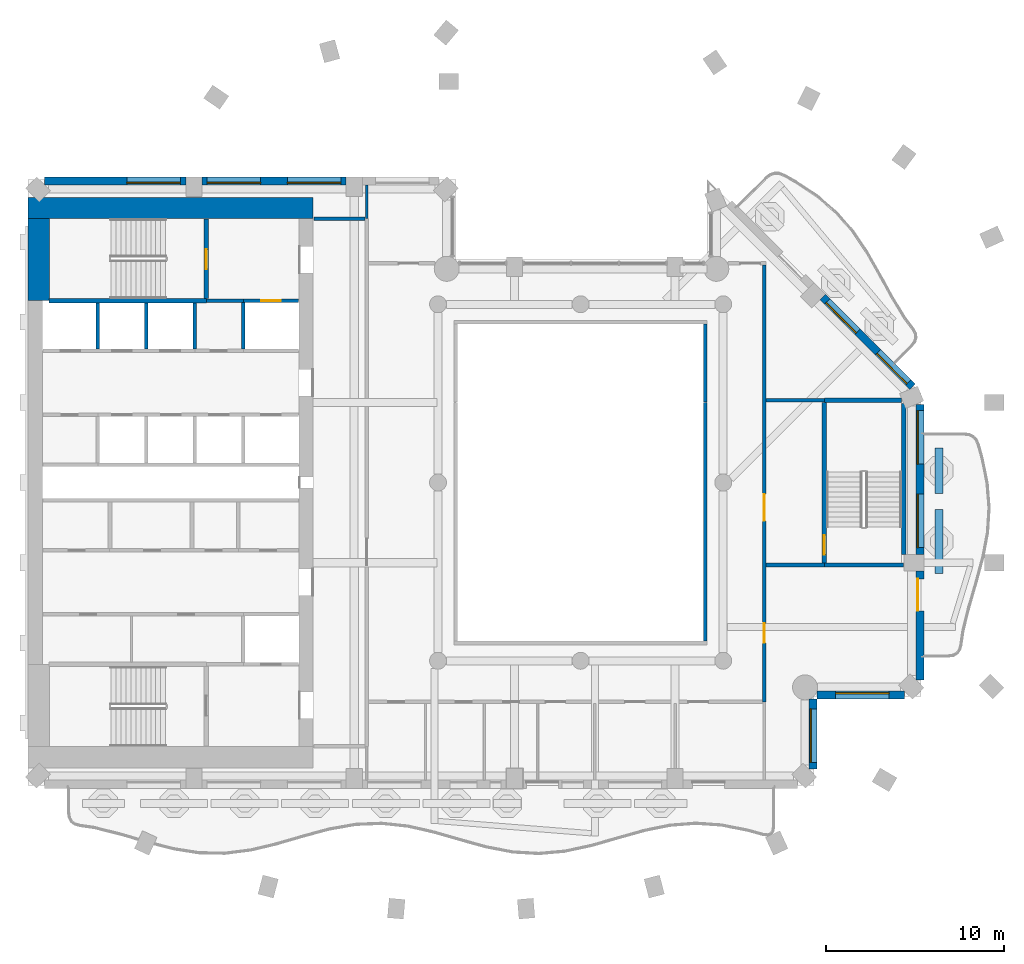
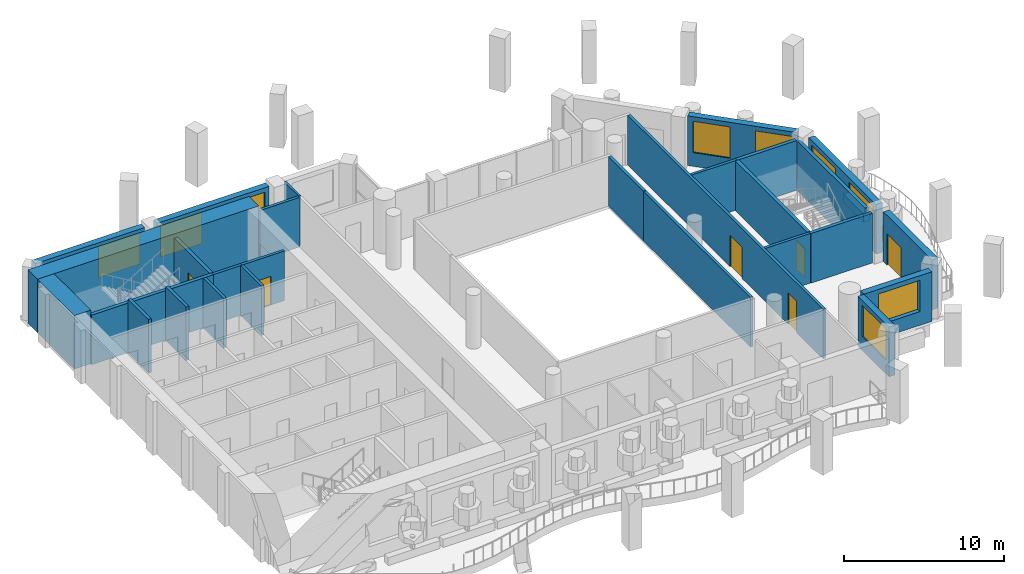
# One storey, part 6 of 15: 30 walls, 9 windows, 6 doors, 15 openings.
"""IFC4 building model written with IfcOpenShell, lengths in metres."""

from ifc_helpers import new_model, si_unit, direction, frame, frame_2d, origin, place, context, subcontext, project, spatial, rectangle, extrude, material, layer, layer_set, type_object, element, fill, save


model = new_model("IFC4")

# Units and contexts
model_context = context("Model", 3, precision=1e-05, world=origin(), true_north=direction((0.0, 1.0)))
body_context = subcontext(model_context, "Body", "Model", "MODEL_VIEW")
ifc_project = project(units=[si_unit("LENGTHUNIT", "METRE"), si_unit("AREAUNIT", "SQUARE_METRE"), si_unit("VOLUMEUNIT", "CUBIC_METRE"), si_unit("PLANEANGLEUNIT", "RADIAN"), si_unit("MASSUNIT", "GRAM", prefix="KILO")], contexts=[model_context])

# Site, building, storey
site_placement = place(None, origin())
site = spatial("IfcSite", under=ifc_project, at=site_placement, CompositionType="ELEMENT")
building_placement = place(site_placement, origin())
building = spatial("IfcBuilding", under=site, at=building_placement, Name="Cypress Arch Tower", CompositionType="ELEMENT")
storey_placement = place(building_placement, frame((0.0, 0.0, 234.300048828125)))
storey = spatial("IfcBuildingStorey", under=building, at=storey_placement, Name="L52", CompositionType="ELEMENT", Elevation=234.300048828125)

# Walls
ifc_material_1 = material(Name="Concrete C40/50, waterproofed", Category="concrete")
ifc_layer_1 = layer(ifc_material_1, 0.449951171875)
ifc_layer_set_1 = layer_set([ifc_layer_1], Name="Balcony planter wall PW450")
wall_type_1 = type_object("IfcWallType", Name="Balcony planter wall PW450", PredefinedType="SOLIDWALL", material=ifc_layer_set_1)
wall_1_placement = place(storey_placement, frame((21.10009765625, -5.10009765625, 0.0), z_axis=(0.0, 0.0, 1.0), x_axis=(0.0, 1.0, 0.0)))
element("IfcWall", 1, at=wall_1_placement, inside=storey, type_object=wall_type_1, Name="Balcony planter wall L52-B04.1", PredefinedType="SOLIDWALL", context=body_context, shape_type="SweptSolid", body=[
    extrude(rectangle(XDim=3.58349609375, YDim=0.449951171875, at=frame_2d((1.791748046875, 0.0))), origin(), (0.0, 0.0, 1.0), 0.599853515625),
])
wall_2_placement = place(storey_placement, frame((21.10009765625, -0.61669921875, 0.0), z_axis=(0.0, 0.0, 1.0), x_axis=(0.0, 1.0, 0.0)))
element("IfcWall", 2, at=wall_2_placement, inside=storey, type_object=wall_type_1, Name="Balcony planter wall L52-B04.2", PredefinedType="SOLIDWALL", context=body_context, shape_type="SweptSolid", body=[
    extrude(rectangle(XDim=2.566650390625, YDim=0.449951171875, at=frame_2d((1.283203125, 0.0))), origin(), (0.0, 0.0, 1.0), 0.599853515625),
])

# Wall, opening, window
ifc_material_2 = material(Name="Brick (red buff blend)", Category="masonry")
ifc_layer_2 = layer(ifc_material_2, 0.449951171875)
ifc_layer_set_2 = layer_set([ifc_layer_2], Name="Brick pier and spandrel wall BW450")
wall_type_2 = type_object("IfcWallType", Name="Brick pier and spandrel wall BW450", PredefinedType="SOLIDWALL", material=ifc_layer_set_2)
wall_3_placement = place(storey_placement, frame((14.02490234375, -16.063720703125, 0.0), z_axis=(0.0, 0.0, 1.0), x_axis=(0.0, 1.0, 0.0)))
wall_3 = element("IfcWall", 3, at=wall_3_placement, inside=storey, type_object=wall_type_2, Name="Brick wall L52 B02.0", PredefinedType="SOLIDWALL", context=body_context, shape_type="SweptSolid", body=[
    extrude(rectangle(XDim=3.9091796875, YDim=0.449951171875, at=frame_2d((1.95458984375, 0.0))), origin(), (0.0, 0.0, 1.0), 3.800048828125),
])
opening_1_placement = place(wall_3_placement, frame((0.363525390625, 0.0, 1.050048828125)))
opening_1 = element("IfcOpeningElement", 4, at=opening_1_placement, cuts=wall_3, Name="Opening W300O", PredefinedType="OPENING", context=body_context, shape_type="SweptSolid", body=[
    extrude(rectangle(XDim=3.0, YDim=2.39990234375, at=frame_2d((1.5, 1.199951171875))), frame((0.0, 0.23486328125, 0.0), z_axis=(0.0, -1.0, 0.0), x_axis=(1.0, 0.0, 0.0)), (0.0, 0.0, 1.0), 0.469970703125),
])
ifc_material_3 = material(Name="Anodised aluminium, bronze finish, clear low-emissivity double glazing", Category="aluminium")
window_type_1 = type_object("IfcWindowType", Name="Window Office 3000x2400", PartitioningType="SINGLE_PANEL", PredefinedType="WINDOW", material=ifc_material_3)
window_1_placement = place(opening_1_placement, origin())
window_1 = element("IfcWindow", 5, at=window_1_placement, inside=storey, type_object=window_type_1, Name="Window L52 B02.0.1", OverallHeight=2.39990234375, OverallWidth=3.0, PartitioningType="SINGLE_PANEL", PredefinedType="WINDOW", context=body_context, shape_type="SweptSolid", body=[
    extrude(rectangle(XDim=3.0, YDim=2.39990234375, at=frame_2d((1.5, 1.199951171875))), frame((0.0, 0.135009765625, 0.0), z_axis=(0.0, -1.0, 0.0), x_axis=(1.0, 0.0, 0.0)), (0.0, 0.0, 1.0), 0.06005859375),
])
fill(opening_1, window_1)

wall_4_placement = place(storey_placement, frame((14.254638671875, -11.925048828125, 0.0), z_axis=(0.0, 0.0, 1.0), x_axis=(1.0, 0.0, 0.0)))
wall_4 = element("IfcWall", 6, at=wall_4_placement, inside=storey, type_object=wall_type_2, Name="Brick wall L52 B03.0", PredefinedType="SOLIDWALL", context=body_context, shape_type="SweptSolid", body=[
    extrude(rectangle(XDim=4.908935546875, YDim=0.449951171875, at=frame_2d((2.45458984375, 0.0))), origin(), (0.0, 0.0, 1.0), 3.800048828125),
])
opening_2_placement = place(wall_4_placement, frame((1.04541015625, 0.0, 1.050048828125)))
opening_2 = element("IfcOpeningElement", 7, at=opening_2_placement, cuts=wall_4, Name="Opening W300O", PredefinedType="OPENING", context=body_context, shape_type="SweptSolid", body=[
    extrude(rectangle(XDim=3.0, YDim=2.39990234375, at=frame_2d((1.5, 1.199951171875))), frame((0.0, 0.23486328125, 0.0), z_axis=(0.0, -1.0, 0.0), x_axis=(1.0, 0.0, 0.0)), (0.0, 0.0, 1.0), 0.469970703125),
])
window_2_placement = place(opening_2_placement, origin())
window_2 = element("IfcWindow", 8, at=window_2_placement, inside=storey, type_object=window_type_1, Name="Window L52 B03.0.1", OverallHeight=2.39990234375, OverallWidth=3.0, PartitioningType="SINGLE_PANEL", PredefinedType="WINDOW", context=body_context, shape_type="SweptSolid", body=[
    extrude(rectangle(XDim=3.0, YDim=2.39990234375, at=frame_2d((1.5, 1.199951171875))), frame((0.0, 0.135009765625, 0.0), z_axis=(0.0, -1.0, 0.0), x_axis=(1.0, 0.0, 0.0)), (0.0, 0.0, 1.0), 0.06005859375),
])
fill(opening_2, window_2)

# Wall, opening, door
wall_5_placement = place(storey_placement, frame((20.02490234375, -11.063720703125, 0.0), z_axis=(0.0, 0.0, 1.0), x_axis=(0.0, 1.0, 0.0)))
wall_5 = element("IfcWall", 9, at=wall_5_placement, inside=storey, type_object=wall_type_2, Name="Brick wall L52 B04.0", PredefinedType="SOLIDWALL", context=body_context, shape_type="SweptSolid", body=[
    extrude(rectangle(XDim=6.11376953125, YDim=0.449951171875, at=frame_2d((3.056884765625, 0.0))), origin(), (0.0, 0.0, 1.0), 3.800048828125),
])
opening_3_placement = place(wall_5_placement, frame((3.863525390625, 0.0, 0.0)))
opening_3 = element("IfcOpeningElement", 10, at=opening_3_placement, cuts=wall_5, Name="Opening D-L52-B04.0.2", PredefinedType="OPENING", context=body_context, shape_type="SweptSolid", body=[
    extrude(rectangle(XDim=1.800048828125, YDim=2.39990234375, at=frame_2d((0.89990234375, 1.199951171875))), frame((0.0, 0.23486328125, 0.0), z_axis=(0.0, -1.0, 0.0), x_axis=(1.0, 0.0, 0.0)), (0.0, 0.0, 1.0), 0.469970703125),
])
ifc_material_4 = material(Name="Anodised aluminium, bronze finish, laminated low-emissivity double glazing, large-missile impact rated", Category="aluminium")
door_type_1 = type_object("IfcDoorType", Name="Balcony sliding door 1800x2400", OperationType="SLIDING_TO_LEFT", PredefinedType="DOOR", material=ifc_material_4)
door_1_placement = place(opening_3_placement, origin())
door_1 = element("IfcDoor", 11, at=door_1_placement, inside=storey, type_object=door_type_1, Name="Balcony door L52 B04.0.2", OperationType="SLIDING_TO_LEFT", OverallHeight=2.39990234375, OverallWidth=1.800048828125, PredefinedType="DOOR", context=body_context, shape_type="SweptSolid", body=[
    extrude(rectangle(XDim=1.800048828125, YDim=2.39990234375, at=frame_2d((0.89990234375, 1.199951171875))), frame((0.0, 0.1298828125, 0.0), z_axis=(0.0, -1.0, 0.0), x_axis=(1.0, 0.0, 0.0)), (0.0, 0.0, 1.0), 0.050048828125),
])
fill(opening_3, door_1)

# Wall, openings, windows
wall_6_placement = place(storey_placement, frame((20.02490234375, -4.050048828125, 0.0), z_axis=(0.0, 0.0, 1.0), x_axis=(0.0, 1.0, 0.0)))
wall_6 = element("IfcWall", 12, at=wall_6_placement, inside=storey, type_object=wall_type_2, Name="Brick wall L52 B04.1", PredefinedType="SOLIDWALL", context=body_context, shape_type="SweptSolid", body=[
    extrude(rectangle(XDim=8.438720703125, YDim=0.449951171875, at=frame_2d((4.21923828125, 0.0))), origin(), (0.0, 0.0, 1.0), 3.800048828125),
])
opening_4_placement = place(wall_6_placement, frame((0.39404296875, 0.0, 1.050048828125)))
opening_4 = element("IfcOpeningElement", 13, at=opening_4_placement, cuts=wall_6, Name="Opening W300OD", PredefinedType="OPENING", context=body_context, shape_type="SweptSolid", body=[
    extrude(rectangle(XDim=3.0, YDim=2.39990234375, at=frame_2d((1.5, 1.199951171875))), frame((0.0, 0.23486328125, 0.0), z_axis=(0.0, -1.0, 0.0), x_axis=(1.0, 0.0, 0.0)), (0.0, 0.0, 1.0), 0.469970703125),
])
opening_5_placement = place(wall_6_placement, frame((5.081787109375, 0.0, 1.050048828125)))
opening_5 = element("IfcOpeningElement", 14, at=opening_5_placement, cuts=wall_6, Name="Opening W300OD", PredefinedType="OPENING", context=body_context, shape_type="SweptSolid", body=[
    extrude(rectangle(XDim=3.0, YDim=2.39990234375, at=frame_2d((1.5, 1.199951171875))), frame((0.0, 0.23486328125, 0.0), z_axis=(0.0, -1.0, 0.0), x_axis=(1.0, 0.0, 0.0)), (0.0, 0.0, 1.0), 0.469970703125),
])
ifc_material_5 = material(Name="Anodised aluminium, bronze finish, laminated low-emissivity double glazing, large-missile impact rated", Category="aluminium")
window_type_2 = type_object("IfcWindowType", Name="Window Office 3000x2400 debris-rated", PartitioningType="SINGLE_PANEL", PredefinedType="WINDOW", material=ifc_material_5)
window_3_placement = place(opening_4_placement, origin())
window_3 = element("IfcWindow", 15, at=window_3_placement, inside=storey, type_object=window_type_2, Name="Window L52 B04.1.1", OverallHeight=2.39990234375, OverallWidth=3.0, PartitioningType="SINGLE_PANEL", PredefinedType="WINDOW", context=body_context, shape_type="SweptSolid", body=[
    extrude(rectangle(XDim=3.0, YDim=2.39990234375, at=frame_2d((1.5, 1.199951171875))), frame((0.0, 0.135009765625, 0.0), z_axis=(0.0, -1.0, 0.0), x_axis=(1.0, 0.0, 0.0)), (0.0, 0.0, 1.0), 0.06005859375),
])
fill(opening_4, window_3)
window_4_placement = place(opening_5_placement, origin())
window_4 = element("IfcWindow", 16, at=window_4_placement, inside=storey, type_object=window_type_2, Name="Window L52 B04.1.2", OverallHeight=2.39990234375, OverallWidth=3.0, PartitioningType="SINGLE_PANEL", PredefinedType="WINDOW", context=body_context, shape_type="SweptSolid", body=[
    extrude(rectangle(XDim=3.0, YDim=2.39990234375, at=frame_2d((1.5, 1.199951171875))), frame((0.0, 0.135009765625, 0.0), z_axis=(0.0, -1.0, 0.0), x_axis=(1.0, 0.0, 0.0)), (0.0, 0.0, 1.0), 0.06005859375),
])
fill(opening_5, window_4)

wall_7_placement = place(storey_placement, frame((19.61474609375, 5.379150390625, 0.0), z_axis=(0.0, 0.0, 1.0), x_axis=(-0.707089646058, 0.7071239159, 0.0)))
wall_7 = element("IfcWall", 17, at=wall_7_placement, inside=storey, type_object=wall_type_2, Name="Brick wall L52 B05.0", PredefinedType="SOLIDWALL", context=body_context, shape_type="SweptSolid", body=[
    extrude(rectangle(XDim=7.1240234375, YDim=0.449951171875, at=frame_2d((3.56201171875, 0.0))), origin(), (0.0, 0.0, 1.0), 3.800048828125),
])
opening_6_placement = place(wall_7_placement, frame((0.328125, 0.0, 1.050048828125)))
opening_6 = element("IfcOpeningElement", 18, at=opening_6_placement, cuts=wall_7, Name="Opening W240OD", PredefinedType="OPENING", context=body_context, shape_type="SweptSolid", body=[
    extrude(rectangle(XDim=2.39990234375, YDim=2.39990234375, at=frame_2d((1.199951171875, 1.199951171875))), frame((0.0, 0.23486328125, 0.0), z_axis=(0.0, -1.0, 0.0), x_axis=(1.0, 0.0, 0.0)), (0.0, 0.0, 1.0), 0.469970703125),
])
opening_7_placement = place(wall_7_placement, frame((4.358642578125, 0.0, 1.050048828125)))
opening_7 = element("IfcOpeningElement", 19, at=opening_7_placement, cuts=wall_7, Name="Opening W240OD", PredefinedType="OPENING", context=body_context, shape_type="SweptSolid", body=[
    extrude(rectangle(XDim=2.39990234375, YDim=2.39990234375, at=frame_2d((1.199951171875, 1.199951171875))), frame((0.0, 0.23486328125, 0.0), z_axis=(0.0, -1.0, 0.0), x_axis=(1.0, 0.0, 0.0)), (0.0, 0.0, 1.0), 0.469970703125),
])
ifc_material_6 = material(Name="Anodised aluminium, bronze finish, laminated low-emissivity double glazing, large-missile impact rated", Category="aluminium")
window_type_3 = type_object("IfcWindowType", Name="Window Office 2400x2400 debris-rated", PartitioningType="SINGLE_PANEL", PredefinedType="WINDOW", material=ifc_material_6)
window_5_placement = place(opening_6_placement, origin())
window_5 = element("IfcWindow", 20, at=window_5_placement, inside=storey, type_object=window_type_3, Name="Window L52 B05.0.1", OverallHeight=2.39990234375, OverallWidth=2.39990234375, PartitioningType="SINGLE_PANEL", PredefinedType="WINDOW", context=body_context, shape_type="SweptSolid", body=[
    extrude(rectangle(XDim=2.39990234375, YDim=2.39990234375, at=frame_2d((1.199951171875, 1.199951171875))), frame((0.0, 0.135009765625, 0.0), z_axis=(0.0, -1.0, 0.0), x_axis=(1.0, 0.0, 0.0)), (0.0, 0.0, 1.0), 0.06005859375),
])
fill(opening_6, window_5)
window_6_placement = place(opening_7_placement, origin())
window_6 = element("IfcWindow", 21, at=window_6_placement, inside=storey, type_object=window_type_3, Name="Window L52 B05.0.2", OverallHeight=2.39990234375, OverallWidth=2.39990234375, PartitioningType="SINGLE_PANEL", PredefinedType="WINDOW", context=body_context, shape_type="SweptSolid", body=[
    extrude(rectangle(XDim=2.39990234375, YDim=2.39990234375, at=frame_2d((1.199951171875, 1.199951171875))), frame((0.0, 0.135009765625, 0.0), z_axis=(0.0, -1.0, 0.0), x_axis=(1.0, 0.0, 0.0)), (0.0, 0.0, 1.0), 0.06005859375),
])
fill(opening_7, window_6)

wall_8_placement = place(storey_placement, frame((-12.14990234375, 16.925048828125, 0.0), z_axis=(0.0, 0.0, 1.0), x_axis=(-1.0, 0.0, 0.0)))
wall_8 = element("IfcWall", 22, at=wall_8_placement, inside=storey, type_object=wall_type_2, Name="Brick wall L52 B09.1", PredefinedType="SOLIDWALL", context=body_context, shape_type="SweptSolid", body=[
    extrude(rectangle(XDim=8.10009765625, YDim=0.449951171875, at=frame_2d((4.050048828125, 0.0))), origin(), (0.0, 0.0, 1.0), 3.800048828125),
])
opening_8_placement = place(wall_8_placement, frame((0.300048828125, 0.0, 1.050048828125)))
opening_8 = element("IfcOpeningElement", 23, at=opening_8_placement, cuts=wall_8, Name="Opening W300O", PredefinedType="OPENING", context=body_context, shape_type="SweptSolid", body=[
    extrude(rectangle(XDim=3.0, YDim=2.39990234375, at=frame_2d((1.5, 1.199951171875))), frame((0.0, 0.23486328125, 0.0), z_axis=(0.0, -1.0, 0.0), x_axis=(1.0, 0.0, 0.0)), (0.0, 0.0, 1.0), 0.469970703125),
])
opening_9_placement = place(wall_8_placement, frame((4.800048828125, 0.0, 1.050048828125)))
opening_9 = element("IfcOpeningElement", 24, at=opening_9_placement, cuts=wall_8, Name="Opening W300O", PredefinedType="OPENING", context=body_context, shape_type="SweptSolid", body=[
    extrude(rectangle(XDim=3.0, YDim=2.39990234375, at=frame_2d((1.5, 1.199951171875))), frame((0.0, 0.23486328125, 0.0), z_axis=(0.0, -1.0, 0.0), x_axis=(1.0, 0.0, 0.0)), (0.0, 0.0, 1.0), 0.469970703125),
])
window_7_placement = place(opening_8_placement, origin())
window_7 = element("IfcWindow", 25, at=window_7_placement, inside=storey, type_object=window_type_1, Name="Window L52 B09.1.1", OverallHeight=2.39990234375, OverallWidth=3.0, PartitioningType="SINGLE_PANEL", PredefinedType="WINDOW", context=body_context, shape_type="SweptSolid", body=[
    extrude(rectangle(XDim=3.0, YDim=2.39990234375, at=frame_2d((1.5, 1.199951171875))), frame((0.0, 0.135009765625, 0.0), z_axis=(0.0, -1.0, 0.0), x_axis=(1.0, 0.0, 0.0)), (0.0, 0.0, 1.0), 0.06005859375),
])
fill(opening_8, window_7)
window_8_placement = place(opening_9_placement, origin())
window_8 = element("IfcWindow", 26, at=window_8_placement, inside=storey, type_object=window_type_1, Name="Window L52 B09.1.2", OverallHeight=2.39990234375, OverallWidth=3.0, PartitioningType="SINGLE_PANEL", PredefinedType="WINDOW", context=body_context, shape_type="SweptSolid", body=[
    extrude(rectangle(XDim=3.0, YDim=2.39990234375, at=frame_2d((1.5, 1.199951171875))), frame((0.0, 0.135009765625, 0.0), z_axis=(0.0, -1.0, 0.0), x_axis=(1.0, 0.0, 0.0)), (0.0, 0.0, 1.0), 0.06005859375),
])
fill(opening_9, window_8)

# Wall, opening, window
wall_9_placement = place(storey_placement, frame((-21.14990234375, 16.925048828125, 0.0), z_axis=(0.0, 0.0, 1.0), x_axis=(-1.0, 0.0, 0.0)))
wall_9 = element("IfcWall", 27, at=wall_9_placement, inside=storey, type_object=wall_type_2, Name="Brick wall L52 B09.2", PredefinedType="SOLIDWALL", context=body_context, shape_type="SweptSolid", body=[
    extrude(rectangle(XDim=7.913818359375, YDim=0.449951171875, at=frame_2d((3.95703125, 0.0))), origin(), (0.0, 0.0, 1.0), 3.800048828125),
])
opening_10_placement = place(wall_9_placement, frame((0.300048828125, 0.0, 1.050048828125)))
opening_10 = element("IfcOpeningElement", 28, at=opening_10_placement, cuts=wall_9, Name="Opening W300O", PredefinedType="OPENING", context=body_context, shape_type="SweptSolid", body=[
    extrude(rectangle(XDim=3.0, YDim=2.39990234375, at=frame_2d((1.5, 1.199951171875))), frame((0.0, 0.23486328125, 0.0), z_axis=(0.0, -1.0, 0.0), x_axis=(1.0, 0.0, 0.0)), (0.0, 0.0, 1.0), 0.469970703125),
])
window_9_placement = place(opening_10_placement, origin())
window_9 = element("IfcWindow", 29, at=window_9_placement, inside=storey, type_object=window_type_1, Name="Window L52 B09.2.1", OverallHeight=2.39990234375, OverallWidth=3.0, PartitioningType="SINGLE_PANEL", PredefinedType="WINDOW", context=body_context, shape_type="SweptSolid", body=[
    extrude(rectangle(XDim=3.0, YDim=2.39990234375, at=frame_2d((1.5, 1.199951171875))), frame((0.0, 0.135009765625, 0.0), z_axis=(0.0, -1.0, 0.0), x_axis=(1.0, 0.0, 0.0)), (0.0, 0.0, 1.0), 0.06005859375),
])
fill(opening_10, window_9)

# Walls
ifc_material_7 = material(Name="Concrete C70/85", Category="concrete")
ifc_layer_3 = layer(ifc_material_7, 1.199951171875)
ifc_layer_set_3 = layer_set([ifc_layer_3], Name="Core wall CW1200 C70/85")
wall_type_3 = type_object("IfcWallType", Name="Core wall CW1200 C70/85", PredefinedType="SHEAR", material=ifc_layer_set_3)
wall_10_placement = place(storey_placement, frame((-30.0, 15.39990234375, 0.0), z_axis=(0.0, 0.0, 1.0), x_axis=(1.0, 0.0, 0.0)))
element("IfcWall", 30, at=wall_10_placement, inside=storey, type_object=wall_type_3, Name="Core wall", PredefinedType="SHEAR", context=body_context, shape_type="SweptSolid", body=[
    extrude(rectangle(XDim=16.0, YDim=1.199951171875, at=frame_2d((8.0, 0.0))), origin(), (0.0, 0.0, 1.0), 4.099853515625),
])
wall_11_placement = place(storey_placement, frame((-29.39990234375, 10.199951171875, 0.0), z_axis=(0.0, 0.0, 1.0), x_axis=(0.0, 1.0, 0.0)))
element("IfcWall", 31, at=wall_11_placement, inside=storey, type_object=wall_type_3, Name="Core wall", PredefinedType="SHEAR", context=body_context, shape_type="SweptSolid", body=[
    extrude(rectangle(XDim=4.60009765625, YDim=1.199951171875, at=frame_2d((2.300048828125, 0.0))), origin(), (0.0, 0.0, 1.0), 4.099853515625),
])
ifc_material_8 = material(Name="Concrete blockwork, plastered, rated", Category="masonry")
ifc_layer_4 = layer(ifc_material_8, 0.199951171875)
ifc_layer_set_4 = layer_set([ifc_layer_4], Name="Corridor wall FW200")
wall_type_4 = type_object("IfcWallType", Name="Corridor wall FW200", PredefinedType="PARTITIONING", material=ifc_layer_set_4)
wall_12_placement = place(storey_placement, frame((-20.0, 10.199951171875, 0.0), z_axis=(0.0, 0.0, 1.0), x_axis=(1.0, 0.0, 0.0)))
element("IfcWall", 32, at=wall_12_placement, inside=storey, type_object=wall_type_4, Name="Corridor wall", PredefinedType="PARTITIONING", context=body_context, shape_type="SweptSolid", body=[
    extrude(rectangle(XDim=2.080078125, YDim=0.199951171875, at=frame_2d((1.0400390625, 0.0))), origin(), (0.0, 0.0, 1.0), 3.800048828125),
])
wall_13_placement = place(storey_placement, frame((-13.969970703125, 14.800048828125, 0.0), z_axis=(0.0, 0.0, 1.0), x_axis=(1.0, 0.0, 0.0)))
element("IfcWall", 33, at=wall_13_placement, inside=storey, type_object=wall_type_4, Name="Corridor wall", PredefinedType="PARTITIONING", context=body_context, shape_type="SweptSolid", body=[
    extrude(rectangle(XDim=2.869873046875, YDim=0.199951171875, at=frame_2d((1.43505859375, 0.0))), origin(), (0.0, 0.0, 1.0), 3.800048828125),
])
wall_14_placement = place(storey_placement, frame((8.0, -8.89990234375, 0.0), z_axis=(0.0, 0.0, 1.0), x_axis=(0.0, 1.0, 0.0)))
element("IfcWall", 34, at=wall_14_placement, inside=storey, type_object=wall_type_4, Name="Corridor wall", PredefinedType="PARTITIONING", context=body_context, shape_type="SweptSolid", body=[
    extrude(rectangle(XDim=13.3798828125, YDim=0.199951171875, at=frame_2d((6.68994140625, 0.0))), origin(), (0.0, 0.0, 1.0), 3.800048828125),
])
wall_15_placement = place(storey_placement, frame((8.0, 4.52001953125, 0.0), z_axis=(0.0, 0.0, 1.0), x_axis=(0.0, 1.0, 0.0)))
element("IfcWall", 35, at=wall_15_placement, inside=storey, type_object=wall_type_4, Name="Corridor wall", PredefinedType="PARTITIONING", context=body_context, shape_type="SweptSolid", body=[
    extrude(rectangle(XDim=4.3798828125, YDim=0.199951171875, at=frame_2d((2.18994140625, 0.0))), origin(), (0.0, 0.0, 1.0), 3.800048828125),
])

# Wall, openings, doors
wall_16_placement = place(storey_placement, frame((11.300048828125, -12.300048828125, 0.0), z_axis=(0.0, 0.0, 1.0), x_axis=(0.0, 1.0, 0.0)))
wall_16 = element("IfcWall", 36, at=wall_16_placement, inside=storey, type_object=wall_type_4, Name="Corridor wall", PredefinedType="PARTITIONING", context=body_context, shape_type="SweptSolid", body=[
    extrude(rectangle(XDim=24.5, YDim=0.199951171875, at=frame_2d((12.25, 0.0))), origin(), (0.0, 0.0, 1.0), 3.800048828125),
])
opening_11_placement = place(wall_16_placement, frame((10.14990234375, 0.0, 0.0)))
opening_11 = element("IfcOpeningElement", 37, at=opening_11_placement, cuts=wall_16, Name="Opening D07", PredefinedType="OPENING", context=body_context, shape_type="SweptSolid", body=[
    extrude(rectangle(XDim=1.5, YDim=2.39990234375, at=frame_2d((0.75, 1.199951171875))), frame((0.0, 0.10986328125, 0.0), z_axis=(0.0, -1.0, 0.0), x_axis=(1.0, 0.0, 0.0)), (0.0, 0.0, 1.0), 0.219970703125),
])
opening_12_placement = place(wall_16_placement, frame((3.300048828125, 0.0, 0.0)))
opening_12 = element("IfcOpeningElement", 38, at=opening_12_placement, cuts=wall_16, Name="Opening D01", PredefinedType="OPENING", context=body_context, shape_type="SweptSolid", body=[
    extrude(rectangle(XDim=1.10009765625, YDim=2.39990234375, at=frame_2d((0.550048828125, 1.199951171875))), frame((0.0, 0.10986328125, 0.0), z_axis=(0.0, -1.0, 0.0), x_axis=(1.0, 0.0, 0.0)), (0.0, 0.0, 1.0), 0.219970703125),
])
ifc_material_9 = material(Name="Steel framed glazed door, fire resisting", Category="steel")
door_type_2 = type_object("IfcDoorType", Name="Lobby door D07 1500x2400", OperationType="DOUBLE_DOOR_SINGLE_SWING", PredefinedType="DOOR", material=ifc_material_9)
door_2_placement = place(opening_11_placement, origin())
door_2 = element("IfcDoor", 39, at=door_2_placement, inside=storey, type_object=door_type_2, Name="Lobby door", OperationType="DOUBLE_DOOR_SINGLE_SWING", OverallHeight=2.39990234375, OverallWidth=1.5, PredefinedType="DOOR", context=body_context, shape_type="SweptSolid", body=[
    extrude(rectangle(XDim=1.5, YDim=2.39990234375, at=frame_2d((0.75, 1.199951171875))), frame((0.0, 0.02490234375, 0.0), z_axis=(0.0, -1.0, 0.0), x_axis=(1.0, 0.0, 0.0)), (0.0, 0.0, 1.0), 0.050048828125),
])
fill(opening_11, door_2)
ifc_material_10 = material(Name="Timber flush door, fire resisting, self-closing", Category="wood")
door_type_3 = type_object("IfcDoorType", Name="Unit entrance door D01 1100x2400", OperationType="SINGLE_SWING_LEFT", PredefinedType="DOOR", material=ifc_material_10)
door_3_placement = place(opening_12_placement, origin())
door_3 = element("IfcDoor", 40, at=door_3_placement, inside=storey, type_object=door_type_3, Name="Unit entrance door", OperationType="SINGLE_SWING_RIGHT", OverallHeight=2.39990234375, OverallWidth=1.10009765625, PredefinedType="DOOR", context=body_context, shape_type="SweptSolid", body=[
    extrude(rectangle(XDim=1.10009765625, YDim=2.39990234375, at=frame_2d((0.550048828125, 1.199951171875))), frame((0.0, 0.02490234375, 0.0), z_axis=(0.0, -1.0, 0.0), x_axis=(1.0, 0.0, 0.0)), (0.0, 0.0, 1.0), 0.050048828125),
])
fill(opening_12, door_3)

# Walls
for number, where, z_axis, x_axis, name in (
    (41, (11.39990234375, -4.625, 0.0), (0.0, 0.0, 1.0), (1.0, 0.0, 0.0), "Corridor wall"),
    (42, (11.39990234375, 4.625, 0.0), (0.0, 0.0, 1.0), (1.0, 0.0, 0.0), "Corridor wall"),
):
    element("IfcWall", number, at=place(storey_placement, frame(where, z_axis=z_axis, x_axis=x_axis)), inside=storey, type_object=wall_type_4, Name=name, PredefinedType="PARTITIONING", context=body_context, shape_type="SweptSolid", body=[
        extrude(rectangle(XDim=3.275146484375, YDim=0.199951171875, at=frame_2d((1.6376953125, 0.0))), origin(), (0.0, 0.0, 1.0), 3.800048828125),
    ])
ifc_material_11 = material(Name="Blockwork, plastered both sides", Category="masonry")
ifc_layer_5 = layer(ifc_material_11, 0.14990234375)
ifc_layer_set_5 = layer_set([ifc_layer_5], Name="Partition PW150")
wall_type_5 = type_object("IfcWallType", Name="Partition PW150", PredefinedType="PARTITIONING", material=ifc_layer_set_5)
wall_17_placement = place(storey_placement, frame((-11.0, 14.820068359375, 0.0), z_axis=(0.0, 0.0, 1.0), x_axis=(0.0, 1.0, 0.0)))
element("IfcWall", 43, at=wall_17_placement, inside=storey, type_object=wall_type_5, Name="Partition", PredefinedType="PARTITIONING", context=body_context, shape_type="SweptSolid", body=[
    extrude(rectangle(XDim=1.8798828125, YDim=0.14990234375, at=frame_2d((0.93994140625, 0.0))), origin(), (0.0, 0.0, 1.0), 3.800048828125),
])
ifc_material_12 = material(Name="Concrete C50/60", Category="concrete")
ifc_layer_6 = layer(ifc_material_12, 0.199951171875)
ifc_layer_set_6 = layer_set([ifc_layer_6], Name="Shaft wall SH200")
wall_type_6 = type_object("IfcWallType", Name="Shaft wall SH200", PredefinedType="SHEAR", material=ifc_layer_set_6)
for number, where, z_axis, x_axis, name in (
    (44, (-26.080078125, 7.5, 0.0), (0.0, 0.0, 1.0), (0.0, 1.0, 0.0), "Shaft wall"),
    (45, (-23.360107421875, 7.5, 0.0), (0.0, 0.0, 1.0), (0.0, 1.0, 0.0), "Shaft wall"),
):
    element("IfcWall", number, at=place(storey_placement, frame(where, z_axis=z_axis, x_axis=x_axis)), inside=storey, type_object=wall_type_6, Name=name, PredefinedType="SHEAR", context=body_context, shape_type="SweptSolid", body=[
        extrude(rectangle(XDim=2.574951171875, YDim=0.199951171875, at=frame_2d((1.28759765625, 0.0))), origin(), (0.0, 0.0, 1.0), 4.099853515625),
    ])
wall_18_placement = place(storey_placement, frame((-20.639892578125, 7.5, 0.0), z_axis=(0.0, 0.0, 1.0), x_axis=(0.0, 1.0, 0.0)))
element("IfcWall", 46, at=wall_18_placement, inside=storey, type_object=wall_type_6, Name="Shaft wall", PredefinedType="SHEAR", context=body_context, shape_type="SweptSolid", body=[
    extrude(rectangle(XDim=2.574951171875, YDim=0.199951171875, at=frame_2d((1.28759765625, 0.0))), origin(), (0.0, 0.0, 1.0), 3.800048828125),
])
wall_19_placement = place(storey_placement, frame((-17.919921875, 7.5, 0.0), z_axis=(0.0, 0.0, 1.0), x_axis=(0.0, 1.0, 0.0)))
element("IfcWall", 47, at=wall_19_placement, inside=storey, type_object=wall_type_6, Name="Shaft wall", PredefinedType="SHEAR", context=body_context, shape_type="SweptSolid", body=[
    extrude(rectangle(XDim=2.60009765625, YDim=0.199951171875, at=frame_2d((1.300048828125, 0.0))), origin(), (0.0, 0.0, 1.0), 3.800048828125),
])

# Wall, opening, door
wall_20_placement = place(storey_placement, frame((-17.919921875, 10.199951171875, 0.0), z_axis=(0.0, 0.0, 1.0), x_axis=(1.0, 0.0, 0.0)))
wall_20 = element("IfcWall", 48, at=wall_20_placement, inside=storey, type_object=wall_type_6, Name="Shaft wall", PredefinedType="SHEAR", context=body_context, shape_type="SweptSolid", body=[
    extrude(rectangle(XDim=3.08984375, YDim=0.199951171875, at=frame_2d((1.544921875, 0.0))), origin(), (0.0, 0.0, 1.0), 3.800048828125),
])
opening_13_placement = place(wall_20_placement, frame((1.0, 0.0, 0.0)))
opening_13 = element("IfcOpeningElement", 49, at=opening_13_placement, cuts=wall_20, Name="Opening LD-FL2", PredefinedType="OPENING", context=body_context, shape_type="SweptSolid", body=[
    extrude(rectangle(XDim=1.10009765625, YDim=2.199951171875, at=frame_2d((0.550048828125, 1.10009765625))), frame((0.0, 0.10986328125, 0.0), z_axis=(0.0, -1.0, 0.0), x_axis=(1.0, 0.0, 0.0)), (0.0, 0.0, 1.0), 0.219970703125),
])
ifc_material_13 = material(Name="Stainless steel centre-opening landing door, rated", Category="steel")
door_type_4 = type_object("IfcDoorType", Name="Lift landing door LD 1100x2200", OperationType="DOUBLE_DOOR_SLIDING", PredefinedType="DOOR", material=ifc_material_13)
door_4_placement = place(opening_13_placement, origin())
door_4 = element("IfcDoor", 50, at=door_4_placement, inside=storey, type_object=door_type_4, Name="Lift landing doors FL2", OperationType="DOUBLE_DOOR_SLIDING", OverallHeight=2.199951171875, OverallWidth=1.10009765625, PredefinedType="DOOR", context=body_context, shape_type="SweptSolid", body=[
    extrude(rectangle(XDim=1.10009765625, YDim=2.199951171875, at=frame_2d((0.550048828125, 1.10009765625))), frame((0.0, 0.02490234375, 0.0), z_axis=(0.0, -1.0, 0.0), x_axis=(1.0, 0.0, 0.0)), (0.0, 0.0, 1.0), 0.050048828125),
])
fill(opening_13, door_4)

# Wall
ifc_material_14 = material(Name="Concrete C50/60", Category="concrete")
ifc_layer_7 = layer(ifc_material_14, 0.25)
ifc_layer_set_7 = layer_set([ifc_layer_7], Name="Stair enclosure wall SW250")
wall_type_7 = type_object("IfcWallType", Name="Stair enclosure wall SW250", PredefinedType="SHEAR", material=ifc_layer_set_7)
wall_21_placement = place(storey_placement, frame((-28.81005859375, 10.199951171875, 0.0), z_axis=(0.0, 0.0, 1.0), x_axis=(1.0, 0.0, 0.0)))
element("IfcWall", 51, at=wall_21_placement, inside=storey, type_object=wall_type_7, Name="Stair enclosure wall", PredefinedType="SHEAR", context=body_context, shape_type="SweptSolid", body=[
    extrude(rectangle(XDim=8.81005859375, YDim=0.25, at=frame_2d((4.405029296875, 0.0))), origin(), (0.0, 0.0, 1.0), 3.800048828125),
])

# Wall, opening, door
wall_22_placement = place(storey_placement, frame((-20.0, 10.324951171875, 0.0), z_axis=(0.0, 0.0, 1.0), x_axis=(0.0, 1.0, 0.0)))
wall_22 = element("IfcWall", 52, at=wall_22_placement, inside=storey, type_object=wall_type_7, Name="Stair enclosure wall", PredefinedType="SHEAR", context=body_context, shape_type="SweptSolid", body=[
    extrude(rectangle(XDim=4.445068359375, YDim=0.25, at=frame_2d((2.22265625, 0.0))), origin(), (0.0, 0.0, 1.0), 3.800048828125),
])
opening_14_placement = place(wall_22_placement, frame((1.64990234375, 0.0, 0.0)))
opening_14 = element("IfcOpeningElement", 53, at=opening_14_placement, cuts=wall_22, Name="Opening D06", PredefinedType="OPENING", context=body_context, shape_type="SweptSolid", body=[
    extrude(rectangle(XDim=1.10009765625, YDim=2.199951171875, at=frame_2d((0.550048828125, 1.10009765625))), frame((0.0, 0.135009765625, 0.0), z_axis=(0.0, -1.0, 0.0), x_axis=(1.0, 0.0, 0.0)), (0.0, 0.0, 1.0), 0.27001953125),
])
ifc_material_15 = material(Name="Steel door, fire resisting, panic bar", Category="steel")
door_type_5 = type_object("IfcDoorType", Name="Stair door D06 1100x2200", OperationType="SINGLE_SWING_LEFT", PredefinedType="DOOR", material=ifc_material_15)
door_5_placement = place(opening_14_placement, origin())
door_5 = element("IfcDoor", 54, at=door_5_placement, inside=storey, type_object=door_type_5, Name="Stair door", OperationType="SINGLE_SWING_LEFT", OverallHeight=2.199951171875, OverallWidth=1.10009765625, PredefinedType="DOOR", context=body_context, shape_type="SweptSolid", body=[
    extrude(rectangle(XDim=1.10009765625, YDim=2.199951171875, at=frame_2d((0.550048828125, 1.10009765625))), frame((0.0, 0.02490234375, 0.0), z_axis=(0.0, -1.0, 0.0), x_axis=(1.0, 0.0, 0.0)), (0.0, 0.0, 1.0), 0.050048828125),
])
fill(opening_14, door_5)

wall_23_placement = place(storey_placement, frame((14.675048828125, -4.5, 0.0), z_axis=(0.0, 0.0, 1.0), x_axis=(0.0, 1.0, 0.0)))
wall_23 = element("IfcWall", 55, at=wall_23_placement, inside=storey, type_object=wall_type_7, Name="Stair enclosure wall", PredefinedType="SHEAR", context=body_context, shape_type="SweptSolid", body=[
    extrude(rectangle(XDim=9.0, YDim=0.25, at=frame_2d((4.5, 0.0))), origin(), (0.0, 0.0, 1.0), 3.800048828125),
])
opening_15_placement = place(wall_23_placement, frame((0.449951171875, 0.0, 0.0)))
opening_15 = element("IfcOpeningElement", 56, at=opening_15_placement, cuts=wall_23, Name="Opening D06", PredefinedType="OPENING", context=body_context, shape_type="SweptSolid", body=[
    extrude(rectangle(XDim=1.10009765625, YDim=2.199951171875, at=frame_2d((0.550048828125, 1.10009765625))), frame((0.0, 0.135009765625, 0.0), z_axis=(0.0, -1.0, 0.0), x_axis=(1.0, 0.0, 0.0)), (0.0, 0.0, 1.0), 0.27001953125),
])
door_6_placement = place(opening_15_placement, origin())
door_6 = element("IfcDoor", 57, at=door_6_placement, inside=storey, type_object=door_type_5, Name="Stair door", OperationType="SINGLE_SWING_RIGHT", OverallHeight=2.199951171875, OverallWidth=1.10009765625, PredefinedType="DOOR", context=body_context, shape_type="SweptSolid", body=[
    extrude(rectangle(XDim=1.10009765625, YDim=2.199951171875, at=frame_2d((0.550048828125, 1.10009765625))), frame((0.0, 0.02490234375, 0.0), z_axis=(0.0, -1.0, 0.0), x_axis=(1.0, 0.0, 0.0)), (0.0, 0.0, 1.0), 0.050048828125),
])
fill(opening_15, door_6)

# Walls
wall_24_placement = place(storey_placement, frame((14.675048828125, -4.625, 0.0), z_axis=(0.0, 0.0, 1.0), x_axis=(1.0, 0.0, 0.0)))
element("IfcWall", 58, at=wall_24_placement, inside=storey, type_object=wall_type_7, Name="Stair enclosure wall", PredefinedType="SHEAR", context=body_context, shape_type="SweptSolid", body=[
    extrude(rectangle(XDim=4.449951171875, YDim=0.25, at=frame_2d((2.22509765625, 0.0))), origin(), (0.0, 0.0, 1.0), 3.800048828125),
])
wall_25_placement = place(storey_placement, frame((14.675048828125, 4.625, 0.0), z_axis=(0.0, 0.0, 1.0), x_axis=(1.0, 0.0, 0.0)))
element("IfcWall", 59, at=wall_25_placement, inside=storey, type_object=wall_type_7, Name="Stair enclosure wall", PredefinedType="SHEAR", context=body_context, shape_type="SweptSolid", body=[
    extrude(rectangle(XDim=4.32373046875, YDim=0.25, at=frame_2d((2.161865234375, 0.0))), origin(), (0.0, 0.0, 1.0), 3.800048828125),
])
wall_26_placement = place(storey_placement, frame((19.125, -4.050048828125, 0.0), z_axis=(0.0, 0.0, 1.0), x_axis=(0.0, 1.0, 0.0)))
element("IfcWall", 60, at=wall_26_placement, inside=storey, type_object=wall_type_7, Name="Stair enclosure wall", PredefinedType="SHEAR", context=body_context, shape_type="SweptSolid", body=[
    extrude(rectangle(XDim=8.4765625, YDim=0.25, at=frame_2d((4.23828125, 0.0))), origin(), (0.0, 0.0, 1.0), 3.800048828125),
])

save(model, "model.ifc")
